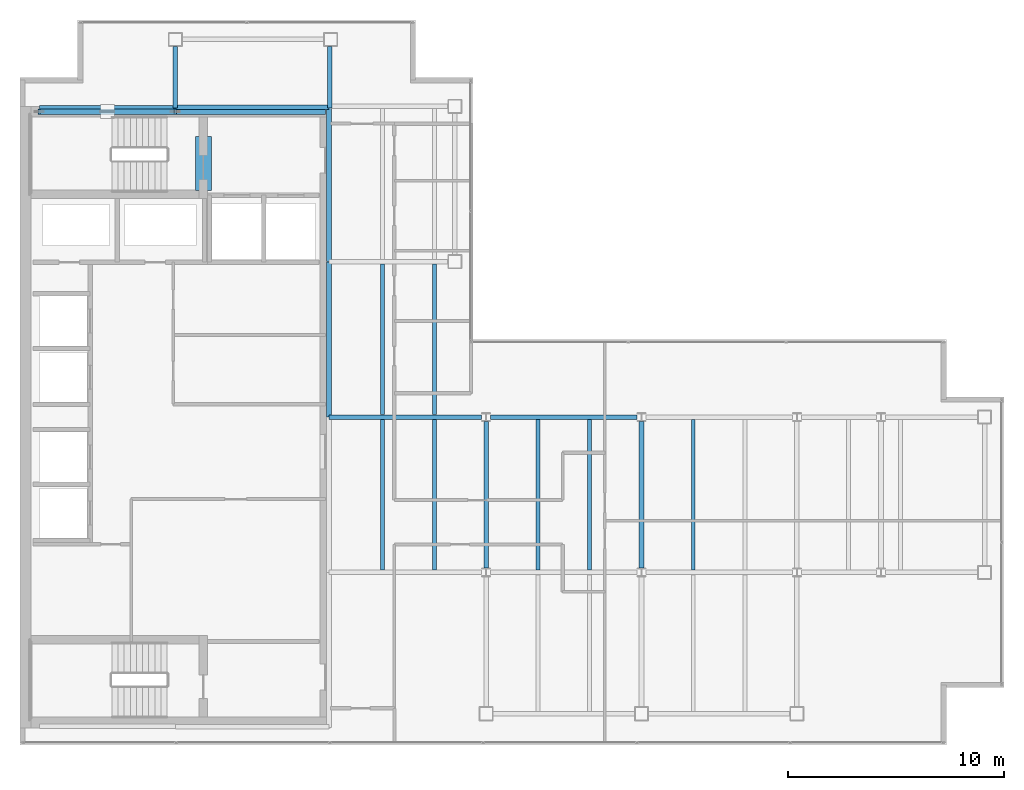
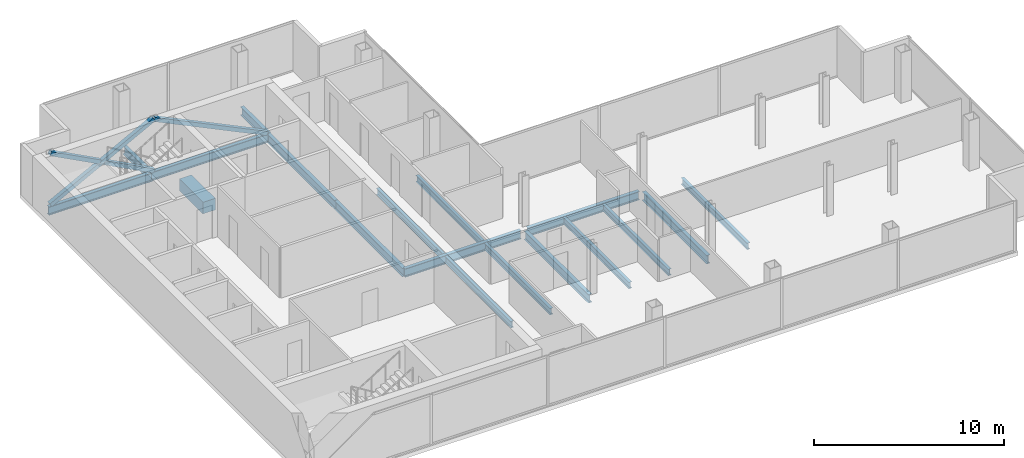
# One storey, part 7 of 23: 18 beams, 4 members.
"""IFC4 building model written with IfcOpenShell, lengths in metres."""

from ifc_helpers import new_model, si_unit, direction, frame, origin, origin_2d, place, context, subcontext, project, spatial, rectangle, hollow_rectangle, i_section, extrude, material, material_profile, profile_set, type_object, element, save


model = new_model("IFC4")

# Units and contexts
model_context = context("Model", 3, precision=1e-05, world=origin(), true_north=direction((0.0, 1.0)))
body_context = subcontext(model_context, "Body", "Model", "MODEL_VIEW")
ifc_project = project(units=[si_unit("LENGTHUNIT", "METRE"), si_unit("AREAUNIT", "SQUARE_METRE"), si_unit("VOLUMEUNIT", "CUBIC_METRE"), si_unit("PLANEANGLEUNIT", "RADIAN"), si_unit("MASSUNIT", "GRAM", prefix="KILO")], contexts=[model_context])

# Site, building, storey
site_placement = place(None, origin())
site = spatial("IfcSite", under=ifc_project, at=site_placement, CompositionType="ELEMENT")
building_placement = place(site_placement, origin())
building = spatial("IfcBuilding", under=site, at=building_placement, Name="Cobrela Telecom Tower", CompositionType="ELEMENT")
storey_placement = place(building_placement, frame((0.0, 0.0, 283.14990234375)))
storey = spatial("IfcBuildingStorey", under=building, at=storey_placement, Name="L74", CompositionType="ELEMENT", Elevation=283.14990234375)

# Beams
ifc_material_1 = material(Name="Concrete C40/50", Category="concrete")
ifc_material_profile_1 = material_profile(ifc_material_1, rectangle(XDim=0.75, YDim=0.75, at=origin_2d()), Name="RC 750x750")
ifc_profile_set_1 = profile_set([ifc_material_profile_1], Name="Concrete C40/50")
beam_type_1 = type_object("IfcBeamType", Name="BM-COUP-RC", PredefinedType="LINTEL", material=ifc_profile_set_1)
beam_1_placement = place(storey_placement, frame((8.5, 32.10009765625, -0.60986328125), z_axis=(0.0, 1.0, 0.0), x_axis=(-1.0, 0.0, 0.0)))
element("IfcBeam", 1, at=beam_1_placement, inside=storey, type_object=beam_type_1, Name="L74 Core Coupling Lintel Beam", PredefinedType="LINTEL", context=body_context, shape_type="SweptSolid", body=[
    extrude(rectangle(XDim=0.75, YDim=0.75, at=origin_2d()), origin(), (0.0, 0.0, 1.0), 2.5),
])
ifc_material_2 = material(Name="Steel ASTM A992 Grade 50", Category="steel")
ifc_material_profile_2 = material_profile(ifc_material_2, i_section(OverallWidth=0.212890625, OverallDepth=0.549072265625, WebThickness=0.0146484375, FlangeThickness=0.023681640625, FilletRadius=0.013916015625, at=origin_2d()), Name="W21X93")
ifc_profile_set_2 = profile_set([ifc_material_profile_2], Name="Steel ASTM A992 Grade 50")
beam_type_2 = type_object("IfcBeamType", Name="BM-GIRD-08", PredefinedType="USERDEFINED", material=ifc_profile_set_2)
beam_2_placement = place(storey_placement, frame((14.324951171875, 21.60009765625, -0.534423828125), z_axis=(1.0, 0.0, 0.0), x_axis=(0.0, 1.0, 0.0)))
element("IfcBeam", 2, at=beam_2_placement, inside=storey, type_object=beam_type_2, Name="L74 Primary Girder X10", ObjectType="GIRDER", PredefinedType="USERDEFINED", context=body_context, shape_type="SweptSolid", body=[
    extrude(i_section(OverallWidth=0.212890625, OverallDepth=0.549072265625, WebThickness=0.0146484375, FlangeThickness=0.023681640625, FilletRadius=0.013916015625, at=origin_2d()), origin(), (0.0, 0.0, 1.0), 7.070556640625),
])
beam_3_placement = place(storey_placement, frame((21.804443359375, 21.60009765625, -0.534423828125), z_axis=(1.0, 0.0, 0.0), x_axis=(0.0, 1.0, 0.0)))
element("IfcBeam", 3, at=beam_3_placement, inside=storey, type_object=beam_type_2, Name="L74 Primary Girder X11", ObjectType="GIRDER", PredefinedType="USERDEFINED", context=body_context, shape_type="SweptSolid", body=[
    extrude(i_section(OverallWidth=0.212890625, OverallDepth=0.549072265625, WebThickness=0.0146484375, FlangeThickness=0.023681640625, FilletRadius=0.013916015625, at=origin_2d()), origin(), (0.0, 0.0, 1.0), 6.791015625),
])
beam_4_placement = place(storey_placement, frame((0.905029296875, 35.919921875, -0.534423828125), z_axis=(1.0, 0.0, 0.0), x_axis=(0.0, 1.0, 0.0)))
element("IfcBeam", 4, at=beam_4_placement, inside=storey, type_object=beam_type_2, Name="L74 Primary Girder X16", ObjectType="GIRDER", PredefinedType="USERDEFINED", context=body_context, shape_type="SweptSolid", body=[
    extrude(i_section(OverallWidth=0.212890625, OverallDepth=0.549072265625, WebThickness=0.0146484375, FlangeThickness=0.023681640625, FilletRadius=0.013916015625, at=origin_2d()), origin(), (0.0, 0.0, 1.0), 6.2900390625),
])
beam_5_placement = place(storey_placement, frame((7.205078125, 35.9599609375, -0.534423828125), z_axis=(1.0, 0.0, 0.0), x_axis=(0.0, 1.0, 0.0)))
element("IfcBeam", 5, at=beam_5_placement, inside=storey, type_object=beam_type_2, Name="L74 Primary Girder X17", ObjectType="GIRDER", PredefinedType="USERDEFINED", context=body_context, shape_type="SweptSolid", body=[
    extrude(i_section(OverallWidth=0.212890625, OverallDepth=0.549072265625, WebThickness=0.0146484375, FlangeThickness=0.023681640625, FilletRadius=0.013916015625, at=origin_2d()), origin(), (0.0, 0.0, 1.0), 7.10986328125),
])
beam_6_placement = place(storey_placement, frame((7.199951171875, 35.925048828125, -0.534423828125), z_axis=(0.0, 1.0, 0.0), x_axis=(-1.0, 0.0, 0.0)))
element("IfcBeam", 6, at=beam_6_placement, inside=storey, type_object=beam_type_2, Name="L74 Primary Girder Y20", ObjectType="GIRDER", PredefinedType="USERDEFINED", context=body_context, shape_type="SweptSolid", body=[
    extrude(i_section(OverallWidth=0.212890625, OverallDepth=0.549072265625, WebThickness=0.0146484375, FlangeThickness=0.023681640625, FilletRadius=0.013916015625, at=origin_2d()), origin(), (0.0, 0.0, 1.0), 2.844970703125),
])
beam_7_placement = place(storey_placement, frame((14.320068359375, 21.60498046875, -0.534423828125), z_axis=(0.0, 1.0, 0.0), x_axis=(-1.0, 0.0, 0.0)))
element("IfcBeam", 7, at=beam_7_placement, inside=storey, type_object=beam_type_2, Name="L74 Primary Girder Y23", ObjectType="GIRDER", PredefinedType="USERDEFINED", context=body_context, shape_type="SweptSolid", body=[
    extrude(i_section(OverallWidth=0.212890625, OverallDepth=0.549072265625, WebThickness=0.0146484375, FlangeThickness=0.023681640625, FilletRadius=0.013916015625, at=origin_2d()), origin(), (0.0, 0.0, 1.0), 7.18994140625),
])
beam_8_placement = place(storey_placement, frame((14.320068359375, 28.804931640625, -0.534423828125), z_axis=(0.0, 1.0, 0.0), x_axis=(-1.0, 0.0, 0.0)))
element("IfcBeam", 8, at=beam_8_placement, inside=storey, type_object=beam_type_2, Name="L74 Primary Girder Y24", ObjectType="GIRDER", PredefinedType="USERDEFINED", context=body_context, shape_type="SweptSolid", body=[
    extrude(i_section(OverallWidth=0.212890625, OverallDepth=0.549072265625, WebThickness=0.0146484375, FlangeThickness=0.023681640625, FilletRadius=0.013916015625, at=origin_2d()), origin(), (0.0, 0.0, 1.0), 7.110107421875),
])
beam_9_placement = place(storey_placement, frame((14.360107421875, 35.925048828125, -0.534423828125), z_axis=(0.0, 1.0, 0.0), x_axis=(-1.0, 0.0, 0.0)))
element("IfcBeam", 9, at=beam_9_placement, inside=storey, type_object=beam_type_2, Name="L74 Primary Girder Y25", ObjectType="GIRDER", PredefinedType="USERDEFINED", context=body_context, shape_type="SweptSolid", body=[
    extrude(i_section(OverallWidth=0.212890625, OverallDepth=0.549072265625, WebThickness=0.0146484375, FlangeThickness=0.023681640625, FilletRadius=0.013916015625, at=origin_2d()), origin(), (0.0, 0.0, 1.0), 2.844970703125),
])
for number, where, z_axis, x_axis, name in (
    (10, (21.60009765625, 14.6044921875, -0.534423828125), (0.0, 1.0, 0.0), (-1.0, 0.0, 0.0), "L74 Primary Girder Y28"),
    (11, (28.800048828125, 14.6044921875, -0.534423828125), (0.0, 1.0, 0.0), (-1.0, 0.0, 0.0), "L74 Primary Girder Y30"),
):
    element("IfcBeam", number, at=place(storey_placement, frame(where, z_axis=z_axis, x_axis=x_axis)), inside=storey, type_object=beam_type_2, Name=name, ObjectType="GIRDER", PredefinedType="USERDEFINED", context=body_context, shape_type="SweptSolid", body=[
        extrude(i_section(OverallWidth=0.212890625, OverallDepth=0.549072265625, WebThickness=0.0146484375, FlangeThickness=0.023681640625, FilletRadius=0.013916015625, at=origin_2d()), origin(), (0.0, 0.0, 1.0), 6.791015625),
    ])
ifc_material_profile_3 = material_profile(ifc_material_2, i_section(OverallWidth=0.179931640625, OverallDepth=0.4169921875, WebThickness=0.010986328125, FlangeThickness=0.01806640625, FilletRadius=0.011962890625, at=origin_2d()), Name="W16X57")
ifc_profile_set_3 = profile_set([ifc_material_profile_3], Name="Steel ASTM A992 Grade 50")
beam_type_3 = type_object("IfcBeamType", Name="BM-JOIST-04", PredefinedType="JOIST", material=ifc_profile_set_3)
for number, where, z_axis, x_axis, name in (
    (12, (16.800048828125, 14.511474609375, -0.468505859375), (0.0, 1.0, 0.0), (-1.0, 0.0, 0.0), "L74 Secondary Composite Floor Beam J01"),
    (13, (16.800048828125, 21.71142578125, -0.468505859375), (0.0, 1.0, 0.0), (-1.0, 0.0, 0.0), "L74 Secondary Composite Floor Beam J02"),
    (14, (19.199951171875, 14.511474609375, -0.468505859375), (0.0, 1.0, 0.0), (-1.0, 0.0, 0.0), "L74 Secondary Composite Floor Beam J04"),
    (15, (19.199951171875, 21.71142578125, -0.468505859375), (0.0, 1.0, 0.0), (-1.0, 0.0, 0.0), "L74 Secondary Composite Floor Beam J05"),
    (16, (24.0, 14.511474609375, -0.468505859375), (0.0, 1.0, 0.0), (-1.0, 0.0, 0.0), "L74 Secondary Composite Floor Beam J08"),
    (17, (26.39990234375, 14.511474609375, -0.468505859375), (0.0, 1.0, 0.0), (-1.0, 0.0, 0.0), "L74 Secondary Composite Floor Beam J10"),
    (18, (31.199951171875, 14.511474609375, -0.468505859375), (0.0, 1.0, 0.0), (-1.0, 0.0, 0.0), "L74 Secondary Composite Floor Beam J12"),
):
    element("IfcBeam", number, at=place(storey_placement, frame(where, z_axis=z_axis, x_axis=x_axis)), inside=storey, type_object=beam_type_3, Name=name, PredefinedType="JOIST", context=body_context, shape_type="SweptSolid", body=[
        extrude(i_section(OverallWidth=0.179931640625, OverallDepth=0.4169921875, WebThickness=0.010986328125, FlangeThickness=0.01806640625, FilletRadius=0.011962890625, at=origin_2d()), origin(), (0.0, 0.0, 1.0), 6.97705078125),
    ])

# Members
ifc_material_3 = material(Name="Steel ASTM A572 Grade 50", Category="steel")
ifc_material_profile_4 = material_profile(ifc_material_3, hollow_rectangle(XDim=0.25, YDim=0.25, WallThickness=0.013916015625, at=origin_2d()), Name="HSS 250x250x14")
ifc_profile_set_4 = profile_set([ifc_material_profile_4], Name="Steel ASTM A572 Grade 50")
member_type = type_object("IfcMemberType", Name="MBR-EXO-04", PredefinedType="BRACE", material=ifc_profile_set_4)
member_1_placement = place(storey_placement, frame((0.89990234375, 35.75, -0.039794921875), z_axis=(0.884686085315, 0.0, 0.466187226821), x_axis=(0.0, 1.0, 0.0)))
element("IfcMember", 19, at=member_1_placement, inside=storey, type_object=member_type, Name="L74 Core Flange Steel X-Brace Continuous A", PredefinedType="BRACE", context=body_context, shape_type="SweptSolid", body=[
    extrude(hollow_rectangle(XDim=0.25, YDim=0.25, WallThickness=0.013916015625, at=origin_2d()), origin(), (0.0, 0.0, 1.0), 7.121337890625),
])
member_2_placement = place(storey_placement, frame((7.199951171875, 35.75, -0.039794921875), z_axis=(-0.884702916743, 0.0, 0.466155284328), x_axis=(0.0, -1.0, 0.0)))
element("IfcMember", 20, at=member_2_placement, inside=storey, type_object=member_type, Name="L74 Core Flange Steel X-Brace Split B1", PredefinedType="BRACE", context=body_context, shape_type="SweptSolid", body=[
    extrude(hollow_rectangle(XDim=0.25, YDim=0.25, WallThickness=0.013916015625, at=origin_2d()), origin(), (0.0, 0.0, 1.0), 3.42041015625),
])
member_3_placement = place(storey_placement, frame((3.926025390625, 35.75, 1.685302734375), z_axis=(-0.884673479945, 0.0, 0.466211147317), x_axis=(0.0, -1.0, 0.0)))
element("IfcMember", 21, at=member_3_placement, inside=storey, type_object=member_type, Name="L74 Core Flange Steel X-Brace Split B2", PredefinedType="BRACE", context=body_context, shape_type="SweptSolid", body=[
    extrude(hollow_rectangle(XDim=0.25, YDim=0.25, WallThickness=0.013916015625, at=origin_2d()), origin(), (0.0, 0.0, 1.0), 3.420654296875),
])
member_4_placement = place(storey_placement, frame((14.10009765625, 35.75, -0.039794921875), z_axis=(-0.901127639633, 0.0, 0.433553891793), x_axis=(0.0, -1.0, 0.0)))
element("IfcMember", 22, at=member_4_placement, inside=storey, type_object=member_type, Name="L74 Core Flange Steel Brace N2", PredefinedType="BRACE", context=body_context, shape_type="SweptSolid", body=[
    extrude(hollow_rectangle(XDim=0.25, YDim=0.25, WallThickness=0.013916015625, at=origin_2d()), origin(), (0.0, 0.0, 1.0), 7.6572265625),
])

save(model, "model.ifc")
